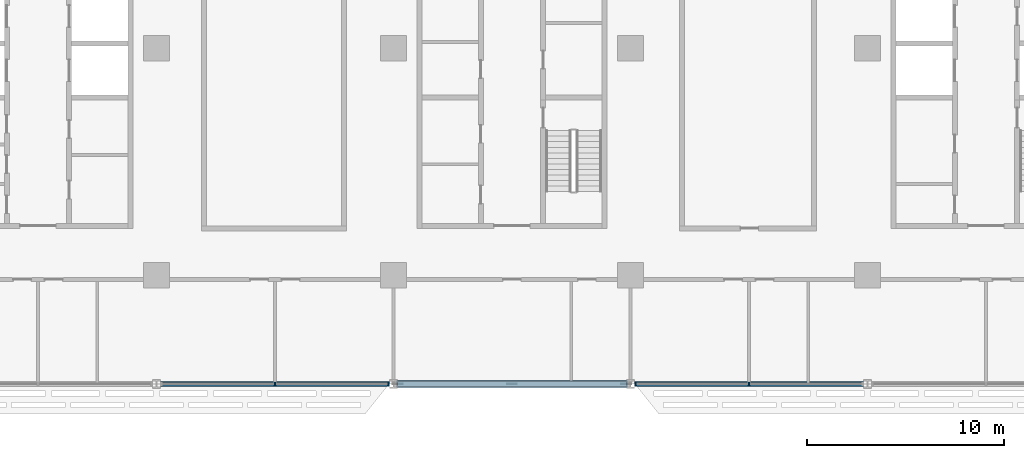
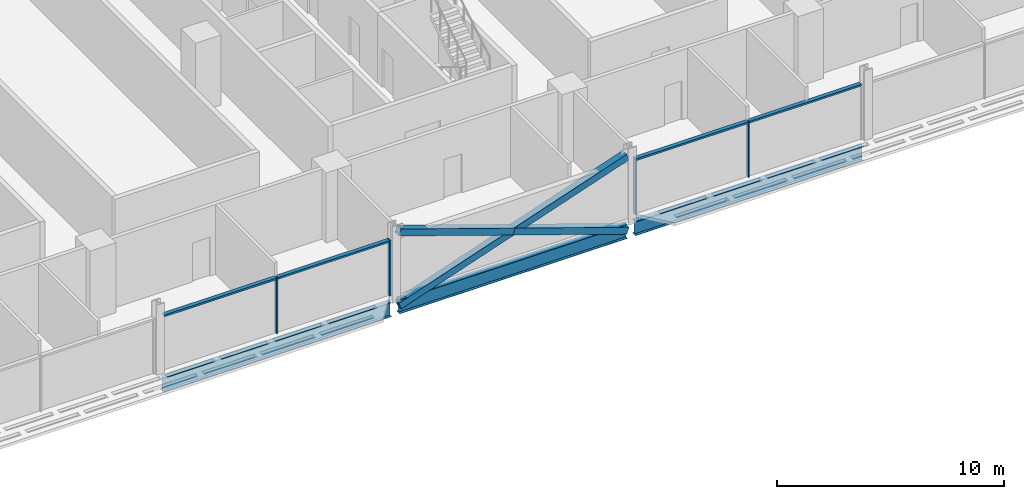
# One storey, part 5 of 29: 11 members, 3 beams, 2 elements without a shape of their own.
"""IFC4 building model written with IfcOpenShell, lengths in metres."""

from ifc_helpers import new_model, si_unit, direction, frame, origin, origin_2d, place, context, subcontext, project, spatial, rectangle, hollow_rectangle, i_section, extrude, material, material_profile, profile_set, type_object, element, aggregate, save


model = new_model("IFC4")

# Units and contexts
model_context = context("Model", 3, precision=1e-05, world=origin(), true_north=direction((0.0, 1.0)))
body_context = subcontext(model_context, "Body", "Model", "MODEL_VIEW")
ifc_project = project(units=[si_unit("LENGTHUNIT", "METRE"), si_unit("AREAUNIT", "SQUARE_METRE"), si_unit("VOLUMEUNIT", "CUBIC_METRE"), si_unit("PLANEANGLEUNIT", "RADIAN"), si_unit("MASSUNIT", "GRAM", prefix="KILO")], contexts=[model_context])

# Site, building, storey
site_placement = place(None, origin())
site = spatial("IfcSite", under=ifc_project, at=site_placement, CompositionType="ELEMENT")
building_placement = place(site_placement, origin())
building = spatial("IfcBuilding", under=site, at=building_placement, Name="Mahtab Terrace Research Tower", CompositionType="ELEMENT")
storey_placement = place(building_placement, frame((0.0, 0.0, 142.5)))
storey = spatial("IfcBuildingStorey", under=building, at=storey_placement, Name="L33", CompositionType="ELEMENT", Elevation=142.5)

# Members
ifc_material_1 = material(Name="Steel ASTM A500 Gr C", Category="steel")
ifc_material_profile_1 = material_profile(ifc_material_1, hollow_rectangle(XDim=0.355712890625, YDim=0.355712890625, WallThickness=0.01904296875, at=origin_2d()), Name="HSS14X14X3/4")
ifc_profile_set_1 = profile_set([ifc_material_profile_1], Name="Steel ASTM A500 Gr C")
member_type_1 = type_object("IfcMemberType", Name="HSS 14x14x3/4 brace XB141434", PredefinedType="BRACE", material=ifc_profile_set_1)
member_1_placement = place(storey_placement, frame((-5.794189453125, -17.0, -0.648193359375), z_axis=(0.946288278, 0.0, 0.323324132908), x_axis=(0.0, 1.0, 0.0)))
element("IfcMember", 1, at=member_1_placement, inside=storey, type_object=member_type_1, Name="Exoskeleton brace L33 17 a", PredefinedType="BRACE", context=body_context, shape_type="SweptSolid", body=[
    extrude(hollow_rectangle(XDim=0.355712890625, YDim=0.355712890625, WallThickness=0.01904296875, at=origin_2d()), origin(), (0.0, 0.0, 1.0), 12.24609375),
])
for number, where, z_axis, x_axis, name in (
    (2, (5.794189453125, -17.0, -0.648193359375), (-0.946288278, 0.0, 0.323324132908), (0.0, -1.0, 0.0), "Exoskeleton brace L33 17 b1"),
    (3, (0.0, -17.0, 1.33154296875), (-0.946288278, 0.0, 0.323324132908), (0.0, -1.0, 0.0), "Exoskeleton brace L33 17 b2"),
):
    element("IfcMember", number, at=place(storey_placement, frame(where, z_axis=z_axis, x_axis=x_axis)), inside=storey, type_object=member_type_1, Name=name, PredefinedType="BRACE", context=body_context, shape_type="SweptSolid", body=[
        extrude(hollow_rectangle(XDim=0.355712890625, YDim=0.355712890625, WallThickness=0.01904296875, at=origin_2d()), origin(), (0.0, 0.0, 1.0), 6.123046875),
    ])

# Curtain wall, members
ifc_material_2 = material(Name="Laboratory ribbon curtain wall")
curtain_wall_type = type_object("IfcCurtainWallType", Name="Laboratory ribbon curtain wall", PredefinedType="NOTDEFINED", material=ifc_material_2)
curtain_wall_1_placement = place(storey_placement, origin())
curtain_wall_1 = element("IfcCurtainWall", 4, at=curtain_wall_1_placement, inside=storey, type_object=curtain_wall_type, Name="EN.L33.13.26", PredefinedType="NOTDEFINED")
ifc_material_3 = material(Name="Natural anodised aluminium", Category="aluminium")
ifc_material_profile_2 = material_profile(ifc_material_3, rectangle(XDim=0.199951171875, YDim=0.06494140625, at=origin_2d()), Name="MULLION 65x200")
ifc_profile_set_2 = profile_set([ifc_material_profile_2], Name="Natural anodised aluminium")
member_type_2 = type_object("IfcMemberType", Name="Laboratory ribbon curtain wall mullion", PredefinedType="MULLION", material=ifc_profile_set_2)
member_2_placement = place(storey_placement, frame((-12.0, -17.0, 0.0), z_axis=(0.0, 0.0, 1.0), x_axis=(0.0, 1.0, 0.0)))
member_2 = element("IfcMember", 5, at=member_2_placement, type_object=member_type_2, Name="CWL-4 mullion 2", PredefinedType="MULLION", context=body_context, shape_type="SweptSolid", body=[
    extrude(rectangle(XDim=0.199951171875, YDim=0.06494140625, at=origin_2d()), origin(), (0.0, 0.0, 1.0), 3.003173828125),
])
member_3_placement = place(storey_placement, frame((-6.25048828125, -17.0, 0.0), z_axis=(0.0, 0.0, 1.0), x_axis=(0.0, 1.0, 0.0)))
member_3 = element("IfcMember", 6, at=member_3_placement, type_object=member_type_2, Name="CWL-4 mullion 3", PredefinedType="MULLION", context=body_context, shape_type="SweptSolid", body=[
    extrude(rectangle(XDim=0.199951171875, YDim=0.06494140625, at=origin_2d()), origin(), (0.0, 0.0, 1.0), 3.003173828125),
])

curtain_wall_2_placement = place(storey_placement, origin())
curtain_wall_2 = element("IfcCurtainWall", 7, at=curtain_wall_2_placement, inside=storey, type_object=curtain_wall_type, Name="EN.L33.13.28", PredefinedType="NOTDEFINED")
member_4_placement = place(storey_placement, frame((6.25048828125, -17.0, 0.0), z_axis=(0.0, 0.0, 1.0), x_axis=(0.0, 1.0, 0.0)))
member_4 = element("IfcMember", 8, at=member_4_placement, type_object=member_type_2, Name="CWL-4 mullion 1", PredefinedType="MULLION", context=body_context, shape_type="SweptSolid", body=[
    extrude(rectangle(XDim=0.199951171875, YDim=0.06494140625, at=origin_2d()), origin(), (0.0, 0.0, 1.0), 3.003173828125),
])
member_5_placement = place(storey_placement, frame((12.0, -17.0, 0.0), z_axis=(0.0, 0.0, 1.0), x_axis=(0.0, 1.0, 0.0)))
member_5 = element("IfcMember", 9, at=member_5_placement, type_object=member_type_2, Name="CWL-4 mullion 2", PredefinedType="MULLION", context=body_context, shape_type="SweptSolid", body=[
    extrude(rectangle(XDim=0.199951171875, YDim=0.06494140625, at=origin_2d()), origin(), (0.0, 0.0, 1.0), 3.003173828125),
])

# Member
ifc_material_profile_3 = material_profile(ifc_material_3, rectangle(XDim=0.199951171875, YDim=0.10009765625, at=origin_2d()), Name="TRANSOM 100x200")
ifc_profile_set_3 = profile_set([ifc_material_profile_3], Name="Natural anodised aluminium")
member_type_3 = type_object("IfcMemberType", Name="Laboratory ribbon curtain wall transom", PredefinedType="USERDEFINED", material=ifc_profile_set_3)
member_6_placement = place(storey_placement, frame((-17.717041015625, -17.0, 2.953125), z_axis=(1.0, 0.0, 0.0), x_axis=(0.0, 1.0, 0.0)))
member_6 = element("IfcMember", 10, at=member_6_placement, type_object=member_type_3, Name="CWL-4 transom 1", ObjectType="TRANSOM", PredefinedType="USERDEFINED", context=body_context, shape_type="SweptSolid", body=[
    extrude(rectangle(XDim=0.199951171875, YDim=0.10009765625, at=origin_2d()), origin(), (0.0, 0.0, 1.0), 5.6845703125),
])

member_7_placement = place(storey_placement, frame((-11.967529296875, -17.0, 2.953125), z_axis=(1.0, 0.0, 0.0), x_axis=(0.0, 1.0, 0.0)))
member_7 = element("IfcMember", 11, at=member_7_placement, type_object=member_type_3, Name="CWL-4 transom 2", ObjectType="TRANSOM", PredefinedType="USERDEFINED", context=body_context, shape_type="SweptSolid", body=[
    extrude(rectangle(XDim=0.199951171875, YDim=0.10009765625, at=origin_2d()), origin(), (0.0, 0.0, 1.0), 5.6845703125),
])

aggregate(curtain_wall_1, [member_2, member_3, member_6, member_7])

member_8_placement = place(storey_placement, frame((6.282958984375, -17.0, 2.953125), z_axis=(1.0, 0.0, 0.0), x_axis=(0.0, 1.0, 0.0)))
member_8 = element("IfcMember", 12, at=member_8_placement, type_object=member_type_3, Name="CWL-4 transom 1", ObjectType="TRANSOM", PredefinedType="USERDEFINED", context=body_context, shape_type="SweptSolid", body=[
    extrude(rectangle(XDim=0.199951171875, YDim=0.10009765625, at=origin_2d()), origin(), (0.0, 0.0, 1.0), 5.6845703125),
])

member_9_placement = place(storey_placement, frame((12.032470703125, -17.0, 2.953125), z_axis=(1.0, 0.0, 0.0), x_axis=(0.0, 1.0, 0.0)))
member_9 = element("IfcMember", 13, at=member_9_placement, type_object=member_type_3, Name="CWL-4 transom 2", ObjectType="TRANSOM", PredefinedType="USERDEFINED", context=body_context, shape_type="SweptSolid", body=[
    extrude(rectangle(XDim=0.199951171875, YDim=0.10009765625, at=origin_2d()), origin(), (0.0, 0.0, 1.0), 5.6845703125),
])

aggregate(curtain_wall_2, [member_4, member_5, member_8, member_9])

# Beams
ifc_material_4 = material(Name="Steel ASTM A992 Gr 50", Category="steel")
ifc_material_profile_4 = material_profile(ifc_material_4, i_section(OverallWidth=0.2666015625, OverallDepth=0.7568359375, WebThickness=0.013916015625, FlangeThickness=0.019287109375, at=origin_2d()), Name="W30X108")
ifc_profile_set_4 = profile_set([ifc_material_profile_4], Name="Steel ASTM A992 Gr 50")
beam_type = type_object("IfcBeamType", Name="W30x108 beam BS30108", PredefinedType="BEAM", material=ifc_profile_set_4)
for number, where, z_axis, x_axis, name in (
    (14, (-17.794189453125, -17.0, -0.718505859375), (1.0, 0.0, 0.0), (0.0, 1.0, 0.0), "Spandrel beam L33 16"),
    (15, (-5.794189453125, -17.0, -0.718505859375), (1.0, 0.0, 0.0), (0.0, 1.0, 0.0), "Spandrel beam L33 17"),
    (16, (6.205810546875, -17.0, -0.718505859375), (1.0, 0.0, 0.0), (0.0, 1.0, 0.0), "Spandrel beam L33 18"),
):
    element("IfcBeam", number, at=place(storey_placement, frame(where, z_axis=z_axis, x_axis=x_axis)), inside=storey, type_object=beam_type, Name=name, PredefinedType="BEAM", context=body_context, shape_type="SweptSolid", body=[
        extrude(i_section(OverallWidth=0.2666015625, OverallDepth=0.7568359375, WebThickness=0.013916015625, FlangeThickness=0.019287109375, at=origin_2d()), origin(), (0.0, 0.0, 1.0), 11.58837890625),
    ])

save(model, "model.ifc")
